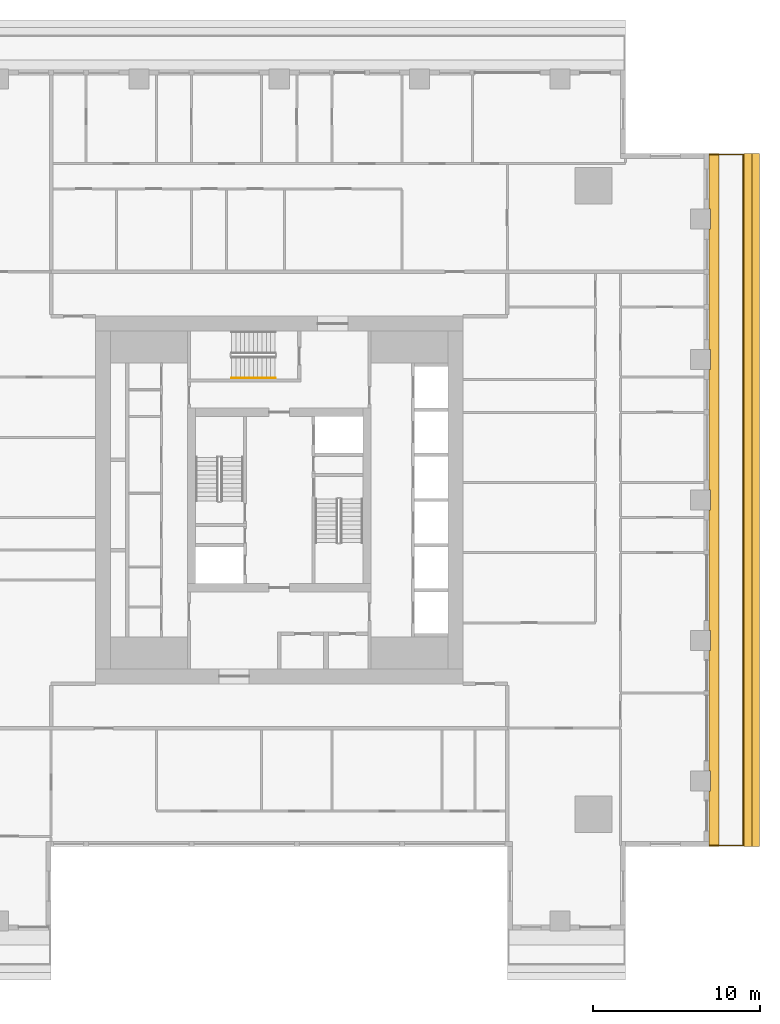
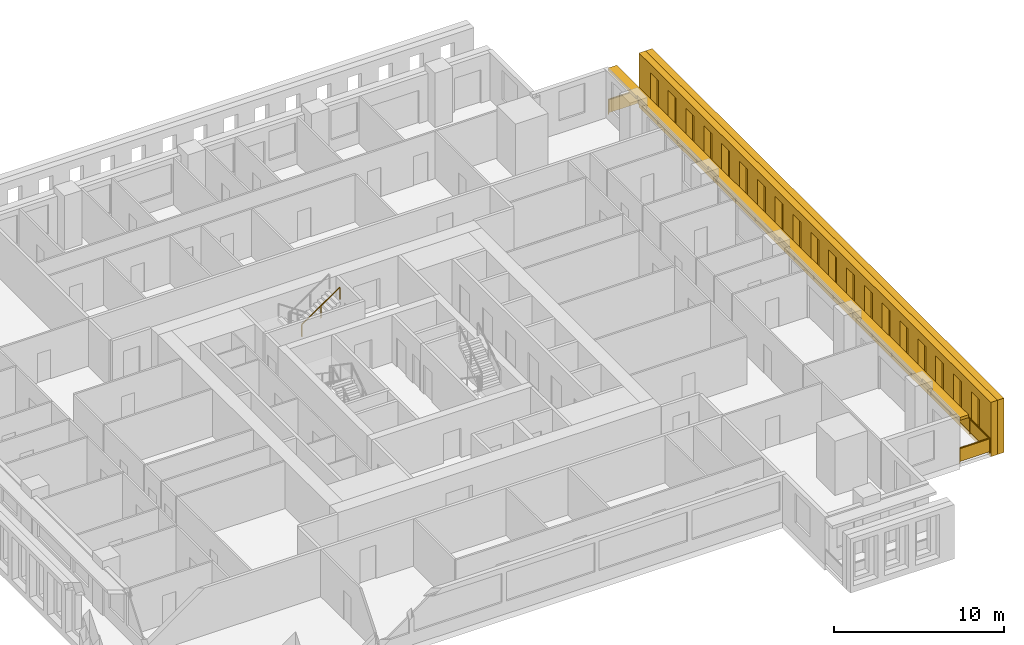
# One storey, part 12 of 14: 3 shading devices, 2 railings.
"""IFC4 building model written with IfcOpenShell, lengths in metres."""

from ifc_helpers import new_model, si_unit, direction, frame, origin, origin_2d, place, context, subcontext, project, spatial, polyline, rectangle, outline, extrude, material, layer, layer_set, type_object, element, save


model = new_model("IFC4")

# Units and contexts
model_context = context("Model", 3, precision=1e-05, world=origin(), true_north=direction((0.0, 1.0)))
body_context = subcontext(model_context, "Body", "Model", "MODEL_VIEW")
ifc_project = project(units=[si_unit("LENGTHUNIT", "METRE"), si_unit("AREAUNIT", "SQUARE_METRE"), si_unit("VOLUMEUNIT", "CUBIC_METRE"), si_unit("PLANEANGLEUNIT", "RADIAN"), si_unit("MASSUNIT", "GRAM", prefix="KILO")], contexts=[model_context])

# Site, building, storey
site_placement = place(None, origin())
site = spatial("IfcSite", under=ifc_project, at=site_placement, CompositionType="ELEMENT")
building_placement = place(site_placement, origin())
building = spatial("IfcBuilding", under=site, at=building_placement, Name="Khepri Terraces", CompositionType="ELEMENT")
storey_placement = place(building_placement, frame((0.0, 0.0, 283.5)))
storey = spatial("IfcBuildingStorey", under=building, at=storey_placement, Name="L68", CompositionType="ELEMENT", Elevation=283.5)

# Railings
ifc_material_1 = material(Name="Stainless steel grade 316", Category="steel")
railing_type_1 = type_object("IfcRailingType", Name="GRD-BAL-1100", PredefinedType="GUARDRAIL", material=ifc_material_1)
railing_1_placement = place(storey_placement, frame((25.719970703125, -20.669921875, 0.0)))
element("IfcRailing", 1, at=railing_1_placement, inside=storey, type_object=railing_type_1, Name="Balcony guard L68 E", PredefinedType="GUARDRAIL", context=body_context, shape_type="SweptSolid", body=[
    extrude(rectangle(XDim=0.050048828125, YDim=0.06005859375, at=origin_2d()), frame((0.0, 0.0, 1.070068359375), z_axis=(1.0, 0.0, 0.0), x_axis=(0.0, 1.0, 0.0)), (0.0, 0.0, 1.0), 2.050048828125),
    extrude(rectangle(XDim=2.0, YDim=0.011962890625, at=origin_2d()), frame((1.02490234375, 0.0, 0.10009765625), z_axis=(0.0, 0.0, 1.0), x_axis=(1.0, 0.0, 0.0)), (0.0, 0.0, 1.0), 0.93994140625),
    extrude(rectangle(XDim=0.050048828125, YDim=0.06005859375, at=origin_2d()), frame((2.050048828125, 0.0, 1.070068359375), z_axis=(0.0, 1.0, 0.0), x_axis=(-1.0, 0.0, 0.0)), (0.0, 0.0, 1.0), 41.33984375),
    extrude(rectangle(XDim=2.24658203125, YDim=0.011962890625, at=origin_2d()), frame((2.050048828125, 1.1484375, 0.10009765625), z_axis=(0.0, 0.0, 1.0), x_axis=(0.0, 1.0, 0.0)), (0.0, 0.0, 1.0), 0.93994140625),
    extrude(rectangle(XDim=2.24658203125, YDim=0.011962890625, at=origin_2d()), frame((2.050048828125, 3.445068359375, 0.10009765625), z_axis=(0.0, 0.0, 1.0), x_axis=(0.0, 1.0, 0.0)), (0.0, 0.0, 1.0), 0.93994140625),
    extrude(rectangle(XDim=2.24658203125, YDim=0.011962890625, at=origin_2d()), frame((2.050048828125, 5.74169921875, 0.10009765625), z_axis=(0.0, 0.0, 1.0), x_axis=(0.0, 1.0, 0.0)), (0.0, 0.0, 1.0), 0.93994140625),
    extrude(rectangle(XDim=2.24658203125, YDim=0.011962890625, at=origin_2d()), frame((2.050048828125, 8.038330078125, 0.10009765625), z_axis=(0.0, 0.0, 1.0), x_axis=(0.0, 1.0, 0.0)), (0.0, 0.0, 1.0), 0.93994140625),
    extrude(rectangle(XDim=2.24658203125, YDim=0.011962890625, at=origin_2d()), frame((2.050048828125, 10.3349609375, 0.10009765625), z_axis=(0.0, 0.0, 1.0), x_axis=(0.0, 1.0, 0.0)), (0.0, 0.0, 1.0), 0.93994140625),
    extrude(rectangle(XDim=2.24658203125, YDim=0.011962890625, at=origin_2d()), frame((2.050048828125, 12.631591796875, 0.10009765625), z_axis=(0.0, 0.0, 1.0), x_axis=(0.0, 1.0, 0.0)), (0.0, 0.0, 1.0), 0.93994140625),
    extrude(rectangle(XDim=2.24658203125, YDim=0.011962890625, at=origin_2d()), frame((2.050048828125, 14.92822265625, 0.10009765625), z_axis=(0.0, 0.0, 1.0), x_axis=(0.0, 1.0, 0.0)), (0.0, 0.0, 1.0), 0.93994140625),
    extrude(rectangle(XDim=2.24658203125, YDim=0.011962890625, at=origin_2d()), frame((2.050048828125, 17.224853515625, 0.10009765625), z_axis=(0.0, 0.0, 1.0), x_axis=(0.0, 1.0, 0.0)), (0.0, 0.0, 1.0), 0.93994140625),
    extrude(rectangle(XDim=2.24658203125, YDim=0.011962890625, at=origin_2d()), frame((2.050048828125, 19.521484375, 0.10009765625), z_axis=(0.0, 0.0, 1.0), x_axis=(0.0, 1.0, 0.0)), (0.0, 0.0, 1.0), 0.93994140625),
    extrude(rectangle(XDim=2.24658203125, YDim=0.011962890625, at=origin_2d()), frame((2.050048828125, 21.818359375, 0.10009765625), z_axis=(0.0, 0.0, 1.0), x_axis=(0.0, 1.0, 0.0)), (0.0, 0.0, 1.0), 0.93994140625),
    extrude(rectangle(XDim=2.24658203125, YDim=0.011962890625, at=origin_2d()), frame((2.050048828125, 24.114990234375, 0.10009765625), z_axis=(0.0, 0.0, 1.0), x_axis=(0.0, 1.0, 0.0)), (0.0, 0.0, 1.0), 0.93994140625),
    extrude(rectangle(XDim=2.24658203125, YDim=0.011962890625, at=origin_2d()), frame((2.050048828125, 26.41162109375, 0.10009765625), z_axis=(0.0, 0.0, 1.0), x_axis=(0.0, 1.0, 0.0)), (0.0, 0.0, 1.0), 0.93994140625),
    extrude(rectangle(XDim=2.24658203125, YDim=0.011962890625, at=origin_2d()), frame((2.050048828125, 28.708251953125, 0.10009765625), z_axis=(0.0, 0.0, 1.0), x_axis=(0.0, 1.0, 0.0)), (0.0, 0.0, 1.0), 0.93994140625),
    extrude(rectangle(XDim=2.24658203125, YDim=0.011962890625, at=origin_2d()), frame((2.050048828125, 31.0048828125, 0.10009765625), z_axis=(0.0, 0.0, 1.0), x_axis=(0.0, 1.0, 0.0)), (0.0, 0.0, 1.0), 0.93994140625),
    extrude(rectangle(XDim=2.24658203125, YDim=0.011962890625, at=origin_2d()), frame((2.050048828125, 33.301513671875, 0.10009765625), z_axis=(0.0, 0.0, 1.0), x_axis=(0.0, 1.0, 0.0)), (0.0, 0.0, 1.0), 0.93994140625),
    extrude(rectangle(XDim=2.24658203125, YDim=0.011962890625, at=origin_2d()), frame((2.050048828125, 35.59814453125, 0.10009765625), z_axis=(0.0, 0.0, 1.0), x_axis=(0.0, 1.0, 0.0)), (0.0, 0.0, 1.0), 0.93994140625),
    extrude(rectangle(XDim=2.24658203125, YDim=0.011962890625, at=origin_2d()), frame((2.050048828125, 37.894775390625, 0.10009765625), z_axis=(0.0, 0.0, 1.0), x_axis=(0.0, 1.0, 0.0)), (0.0, 0.0, 1.0), 0.93994140625),
    extrude(rectangle(XDim=2.24658203125, YDim=0.011962890625, at=origin_2d()), frame((2.050048828125, 40.19140625, 0.10009765625), z_axis=(0.0, 0.0, 1.0), x_axis=(0.0, 1.0, 0.0)), (0.0, 0.0, 1.0), 0.93994140625),
    extrude(rectangle(XDim=0.050048828125, YDim=0.06005859375, at=origin_2d()), frame((2.050048828125, 41.33984375, 1.070068359375), z_axis=(-1.0, 0.0, 0.0), x_axis=(0.0, -1.0, 0.0)), (0.0, 0.0, 1.0), 2.050048828125),
    extrude(rectangle(XDim=2.0, YDim=0.011962890625, at=origin_2d()), frame((1.02490234375, 41.33984375, 0.10009765625), z_axis=(0.0, 0.0, 1.0), x_axis=(-1.0, 0.0, 0.0)), (0.0, 0.0, 1.0), 0.93994140625),
    extrude(rectangle(XDim=0.050048828125, YDim=0.050048828125, at=origin_2d()), origin(), (0.0, 0.0, 1.0), 1.0400390625),
    extrude(rectangle(XDim=0.050048828125, YDim=0.050048828125, at=origin_2d()), frame((2.050048828125, 0.0, 0.0)), (0.0, 0.0, 1.0), 1.0400390625),
    extrude(rectangle(XDim=0.050048828125, YDim=0.050048828125, at=origin_2d()), frame((2.050048828125, 2.296630859375, 0.0)), (0.0, 0.0, 1.0), 1.0400390625),
    extrude(rectangle(XDim=0.050048828125, YDim=0.050048828125, at=origin_2d()), frame((2.050048828125, 4.59326171875, 0.0)), (0.0, 0.0, 1.0), 1.0400390625),
    extrude(rectangle(XDim=0.050048828125, YDim=0.050048828125, at=origin_2d()), frame((2.050048828125, 6.889892578125, 0.0)), (0.0, 0.0, 1.0), 1.0400390625),
    extrude(rectangle(XDim=0.050048828125, YDim=0.050048828125, at=origin_2d()), frame((2.050048828125, 9.1865234375, 0.0)), (0.0, 0.0, 1.0), 1.0400390625),
    extrude(rectangle(XDim=0.050048828125, YDim=0.050048828125, at=origin_2d()), frame((2.050048828125, 11.4833984375, 0.0)), (0.0, 0.0, 1.0), 1.0400390625),
    extrude(rectangle(XDim=0.050048828125, YDim=0.050048828125, at=origin_2d()), frame((2.050048828125, 13.780029296875, 0.0)), (0.0, 0.0, 1.0), 1.0400390625),
    extrude(rectangle(XDim=0.050048828125, YDim=0.050048828125, at=origin_2d()), frame((2.050048828125, 16.07666015625, 0.0)), (0.0, 0.0, 1.0), 1.0400390625),
    extrude(rectangle(XDim=0.050048828125, YDim=0.050048828125, at=origin_2d()), frame((2.050048828125, 18.373291015625, 0.0)), (0.0, 0.0, 1.0), 1.0400390625),
    extrude(rectangle(XDim=0.050048828125, YDim=0.050048828125, at=origin_2d()), frame((2.050048828125, 20.669921875, 0.0)), (0.0, 0.0, 1.0), 1.0400390625),
    extrude(rectangle(XDim=0.050048828125, YDim=0.050048828125, at=origin_2d()), frame((2.050048828125, 22.966552734375, 0.0)), (0.0, 0.0, 1.0), 1.0400390625),
    extrude(rectangle(XDim=0.050048828125, YDim=0.050048828125, at=origin_2d()), frame((2.050048828125, 25.26318359375, 0.0)), (0.0, 0.0, 1.0), 1.0400390625),
    extrude(rectangle(XDim=0.050048828125, YDim=0.050048828125, at=origin_2d()), frame((2.050048828125, 27.559814453125, 0.0)), (0.0, 0.0, 1.0), 1.0400390625),
    extrude(rectangle(XDim=0.050048828125, YDim=0.050048828125, at=origin_2d()), frame((2.050048828125, 29.8564453125, 0.0)), (0.0, 0.0, 1.0), 1.0400390625),
    extrude(rectangle(XDim=0.050048828125, YDim=0.050048828125, at=origin_2d()), frame((2.050048828125, 32.1533203125, 0.0)), (0.0, 0.0, 1.0), 1.0400390625),
    extrude(rectangle(XDim=0.050048828125, YDim=0.050048828125, at=origin_2d()), frame((2.050048828125, 34.449951171875, 0.0)), (0.0, 0.0, 1.0), 1.0400390625),
    extrude(rectangle(XDim=0.050048828125, YDim=0.050048828125, at=origin_2d()), frame((2.050048828125, 36.74658203125, 0.0)), (0.0, 0.0, 1.0), 1.0400390625),
    extrude(rectangle(XDim=0.050048828125, YDim=0.050048828125, at=origin_2d()), frame((2.050048828125, 39.043212890625, 0.0)), (0.0, 0.0, 1.0), 1.0400390625),
    extrude(rectangle(XDim=0.050048828125, YDim=0.050048828125, at=origin_2d()), frame((2.050048828125, 41.33984375, 0.0)), (0.0, 0.0, 1.0), 1.0400390625),
    extrude(rectangle(XDim=0.050048828125, YDim=0.050048828125, at=origin_2d()), frame((0.0, 41.33984375, 0.0)), (0.0, 0.0, 1.0), 1.0400390625),
])
ifc_material_2 = material(Name="Stainless steel 316", Category="steel")
railing_type_2 = type_object("IfcRailingType", Name="RL-CORE-HANDRAIL", PredefinedType="HANDRAIL", material=ifc_material_2)
railing_2_placement = place(storey_placement, frame((-2.85009765625, 7.300048828125, 2.127197265625)))
element("IfcRailing", 2, at=railing_2_placement, inside=storey, type_object=railing_type_2, Name="L68 ST-3 stair handrail 2", PredefinedType="HANDRAIL", context=body_context, shape_type="SweptSolid", body=[
    extrude(rectangle(XDim=0.050048828125, YDim=0.050048828125, at=origin_2d()), frame((0.0, 0.0, 0.875), z_axis=(0.826240473404, 0.0, 0.563317565952), x_axis=(0.0, 1.0, 0.0)), (0.0, 0.0, 1.0), 3.14697265625),
    extrude(rectangle(XDim=0.050048828125, YDim=0.050048828125, at=origin_2d()), origin(), (0.0, 0.0, 1.0), 0.849853515625),
    extrude(rectangle(XDim=0.050048828125, YDim=0.050048828125, at=origin_2d()), frame((1.300048828125, 0.0, 0.88623046875)), (0.0, 0.0, 1.0), 0.849853515625),
    extrude(rectangle(XDim=0.050048828125, YDim=0.050048828125, at=origin_2d()), frame((2.60009765625, 0.0, 1.772705078125)), (0.0, 0.0, 1.0), 0.849853515625),
])

# Shading devices
ifc_material_3 = material(Name="Precast concrete C50/60 warm stone", Category="masonry")
shading_device_type_1 = type_object("IfcShadingDeviceType", Name="SCR-CELL-INNER-450", PredefinedType="USERDEFINED", material=ifc_material_3)
shading_device_1_placement = place(storey_placement, frame((27.820068359375, -20.719970703125, -0.25), z_axis=(1.0, 0.0, 0.0), x_axis=(0.0, 1.0, 0.0)))
element("IfcShadingDevice", 3, at=shading_device_1_placement, inside=storey, type_object=shading_device_type_1, Name="Cell screen L68 E in", ObjectType="SCREEN", PredefinedType="USERDEFINED", context=body_context, shape_type="SweptSolid", body=[
    extrude(outline(polyline([(0.0, 0.0), (41.43994140625, 0.0), (41.43994140625, 3.89990234375), (0.0, 3.89990234375), (0.0, 0.0)]), holes=[polyline([(1.347412109375, 0.699951171875), (2.29248046875, 0.699951171875), (2.29248046875, 3.300048828125), (1.347412109375, 3.300048828125), (1.347412109375, 0.699951171875)]), polyline([(3.447509765625, 0.699951171875), (4.392578125, 0.699951171875), (4.392578125, 3.300048828125), (3.447509765625, 3.300048828125), (3.447509765625, 0.699951171875)]), polyline([(5.547607421875, 0.699951171875), (6.492431640625, 0.699951171875), (6.492431640625, 3.300048828125), (5.547607421875, 3.300048828125), (5.547607421875, 0.699951171875)]), polyline([(7.6474609375, 0.699951171875), (8.592529296875, 0.699951171875), (8.592529296875, 3.300048828125), (7.6474609375, 3.300048828125), (7.6474609375, 0.699951171875)]), polyline([(9.74755859375, 0.699951171875), (10.6923828125, 0.699951171875), (10.6923828125, 3.300048828125), (9.74755859375, 3.300048828125), (9.74755859375, 0.699951171875)]), polyline([(11.847412109375, 0.699951171875), (12.79248046875, 0.699951171875), (12.79248046875, 3.300048828125), (11.847412109375, 3.300048828125), (11.847412109375, 0.699951171875)]), polyline([(13.947509765625, 0.699951171875), (14.892578125, 0.699951171875), (14.892578125, 3.300048828125), (13.947509765625, 3.300048828125), (13.947509765625, 0.699951171875)]), polyline([(16.047607421875, 0.699951171875), (16.992431640625, 0.699951171875), (16.992431640625, 3.300048828125), (16.047607421875, 3.300048828125), (16.047607421875, 0.699951171875)]), polyline([(18.1474609375, 0.699951171875), (19.092529296875, 0.699951171875), (19.092529296875, 3.300048828125), (18.1474609375, 3.300048828125), (18.1474609375, 0.699951171875)]), polyline([(20.24755859375, 0.699951171875), (21.1923828125, 0.699951171875), (21.1923828125, 3.300048828125), (20.24755859375, 3.300048828125), (20.24755859375, 0.699951171875)]), polyline([(22.347412109375, 0.699951171875), (23.29248046875, 0.699951171875), (23.29248046875, 3.300048828125), (22.347412109375, 3.300048828125), (22.347412109375, 0.699951171875)]), polyline([(24.447509765625, 0.699951171875), (25.392578125, 0.699951171875), (25.392578125, 3.300048828125), (24.447509765625, 3.300048828125), (24.447509765625, 0.699951171875)]), polyline([(26.547607421875, 0.699951171875), (27.492431640625, 0.699951171875), (27.492431640625, 3.300048828125), (26.547607421875, 3.300048828125), (26.547607421875, 0.699951171875)]), polyline([(28.6474609375, 0.699951171875), (29.592529296875, 0.699951171875), (29.592529296875, 3.300048828125), (28.6474609375, 3.300048828125), (28.6474609375, 0.699951171875)]), polyline([(30.74755859375, 0.699951171875), (31.6923828125, 0.699951171875), (31.6923828125, 3.300048828125), (30.74755859375, 3.300048828125), (30.74755859375, 0.699951171875)]), polyline([(32.847412109375, 0.699951171875), (33.79248046875, 0.699951171875), (33.79248046875, 3.300048828125), (32.847412109375, 3.300048828125), (32.847412109375, 0.699951171875)]), polyline([(34.947509765625, 0.699951171875), (35.892578125, 0.699951171875), (35.892578125, 3.300048828125), (34.947509765625, 3.300048828125), (34.947509765625, 0.699951171875)]), polyline([(37.047607421875, 0.699951171875), (37.992431640625, 0.699951171875), (37.992431640625, 3.300048828125), (37.047607421875, 3.300048828125), (37.047607421875, 0.699951171875)]), polyline([(39.1474609375, 0.699951171875), (40.092529296875, 0.699951171875), (40.092529296875, 3.300048828125), (39.1474609375, 3.300048828125), (39.1474609375, 0.699951171875)])]), origin(), (0.0, 0.0, 1.0), 0.449951171875),
])
shading_device_type_2 = type_object("IfcShadingDeviceType", Name="SCR-CELL-OUTER-450", PredefinedType="USERDEFINED", material=ifc_material_3)
shading_device_2_placement = place(storey_placement, frame((28.27001953125, -20.719970703125, -0.25), z_axis=(1.0, 0.0, 0.0), x_axis=(0.0, 1.0, 0.0)))
element("IfcShadingDevice", 4, at=shading_device_2_placement, inside=storey, type_object=shading_device_type_2, Name="Cell screen L68 E out", ObjectType="SCREEN", PredefinedType="USERDEFINED", context=body_context, shape_type="SweptSolid", body=[
    extrude(outline(polyline([(0.0, 0.0), (41.43994140625, 0.0), (41.43994140625, 3.89990234375), (0.0, 3.89990234375), (0.0, 0.0)]), holes=[polyline([(0.99755859375, 0.449951171875), (2.642578125, 0.449951171875), (2.642578125, 3.550048828125), (0.99755859375, 3.550048828125), (0.99755859375, 0.449951171875)]), polyline([(3.097412109375, 0.449951171875), (4.742431640625, 0.449951171875), (4.742431640625, 3.550048828125), (3.097412109375, 3.550048828125), (3.097412109375, 0.449951171875)]), polyline([(5.197509765625, 0.449951171875), (6.842529296875, 0.449951171875), (6.842529296875, 3.550048828125), (5.197509765625, 3.550048828125), (5.197509765625, 0.449951171875)]), polyline([(7.297607421875, 0.449951171875), (8.9423828125, 0.449951171875), (8.9423828125, 3.550048828125), (7.297607421875, 3.550048828125), (7.297607421875, 0.449951171875)]), polyline([(9.3974609375, 0.449951171875), (11.04248046875, 0.449951171875), (11.04248046875, 3.550048828125), (9.3974609375, 3.550048828125), (9.3974609375, 0.449951171875)]), polyline([(11.49755859375, 0.449951171875), (13.142578125, 0.449951171875), (13.142578125, 3.550048828125), (11.49755859375, 3.550048828125), (11.49755859375, 0.449951171875)]), polyline([(13.597412109375, 0.449951171875), (15.242431640625, 0.449951171875), (15.242431640625, 3.550048828125), (13.597412109375, 3.550048828125), (13.597412109375, 0.449951171875)]), polyline([(15.697509765625, 0.449951171875), (17.342529296875, 0.449951171875), (17.342529296875, 3.550048828125), (15.697509765625, 3.550048828125), (15.697509765625, 0.449951171875)]), polyline([(17.797607421875, 0.449951171875), (19.4423828125, 0.449951171875), (19.4423828125, 3.550048828125), (17.797607421875, 3.550048828125), (17.797607421875, 0.449951171875)]), polyline([(19.8974609375, 0.449951171875), (21.54248046875, 0.449951171875), (21.54248046875, 3.550048828125), (19.8974609375, 3.550048828125), (19.8974609375, 0.449951171875)]), polyline([(21.99755859375, 0.449951171875), (23.642578125, 0.449951171875), (23.642578125, 3.550048828125), (21.99755859375, 3.550048828125), (21.99755859375, 0.449951171875)]), polyline([(24.097412109375, 0.449951171875), (25.742431640625, 0.449951171875), (25.742431640625, 3.550048828125), (24.097412109375, 3.550048828125), (24.097412109375, 0.449951171875)]), polyline([(26.197509765625, 0.449951171875), (27.842529296875, 0.449951171875), (27.842529296875, 3.550048828125), (26.197509765625, 3.550048828125), (26.197509765625, 0.449951171875)]), polyline([(28.297607421875, 0.449951171875), (29.9423828125, 0.449951171875), (29.9423828125, 3.550048828125), (28.297607421875, 3.550048828125), (28.297607421875, 0.449951171875)]), polyline([(30.3974609375, 0.449951171875), (32.04248046875, 0.449951171875), (32.04248046875, 3.550048828125), (30.3974609375, 3.550048828125), (30.3974609375, 0.449951171875)]), polyline([(32.49755859375, 0.449951171875), (34.142578125, 0.449951171875), (34.142578125, 3.550048828125), (32.49755859375, 3.550048828125), (32.49755859375, 0.449951171875)]), polyline([(34.597412109375, 0.449951171875), (36.242431640625, 0.449951171875), (36.242431640625, 3.550048828125), (34.597412109375, 3.550048828125), (34.597412109375, 0.449951171875)]), polyline([(36.697509765625, 0.449951171875), (38.342529296875, 0.449951171875), (38.342529296875, 3.550048828125), (36.697509765625, 3.550048828125), (36.697509765625, 0.449951171875)]), polyline([(38.797607421875, 0.449951171875), (40.4423828125, 0.449951171875), (40.4423828125, 3.550048828125), (38.797607421875, 3.550048828125), (38.797607421875, 0.449951171875)])]), origin(), (0.0, 0.0, 1.0), 0.449951171875),
])
ifc_layer = layer(ifc_material_3, 0.199951171875, Name="Precast concrete C50/60 warm stone", Category="masonry")
ifc_layer_set = layer_set([ifc_layer], Name="Precast concrete C50/60 warm stone")
shading_device_type_3 = type_object("IfcShadingDeviceType", Name="SSH-BAND-STONE-200-N", PredefinedType="USERDEFINED", material=ifc_layer_set)
shading_device_3_placement = place(storey_placement, frame((0.0, 0.0, 3.10009765625)))
element("IfcShadingDevice", 5, at=shading_device_3_placement, inside=storey, type_object=shading_device_type_3, Name="Sunshade band L68 E", ObjectType="SUNSHADE", PredefinedType="USERDEFINED", context=body_context, shape_type="SweptSolid", body=[
    extrude(outline(polyline([(25.719970703125, -17.39990234375), (25.719970703125, -20.719970703125), (26.320068359375, -20.719970703125), (26.320068359375, 20.719970703125), (25.719970703125, 20.719970703125), (25.719970703125, 17.39990234375), (25.800048828125, 17.39990234375), (25.800048828125, 16.199951171875), (25.719970703125, 16.199951171875), (25.719970703125, 9.0), (25.800048828125, 9.0), (25.800048828125, 7.800048828125), (25.719970703125, 7.800048828125), (25.719970703125, 0.60009765625), (25.800048828125, 0.60009765625), (25.800048828125, -0.60009765625), (25.719970703125, -0.60009765625), (25.719970703125, -7.800048828125), (25.800048828125, -7.800048828125), (25.800048828125, -9.0), (25.719970703125, -9.0), (25.719970703125, -16.199951171875), (25.800048828125, -16.199951171875), (25.800048828125, -17.39990234375), (25.719970703125, -17.39990234375)])), origin(), (0.0, 0.0, 1.0), 0.199951171875),
])

save(model, "model.ifc")
